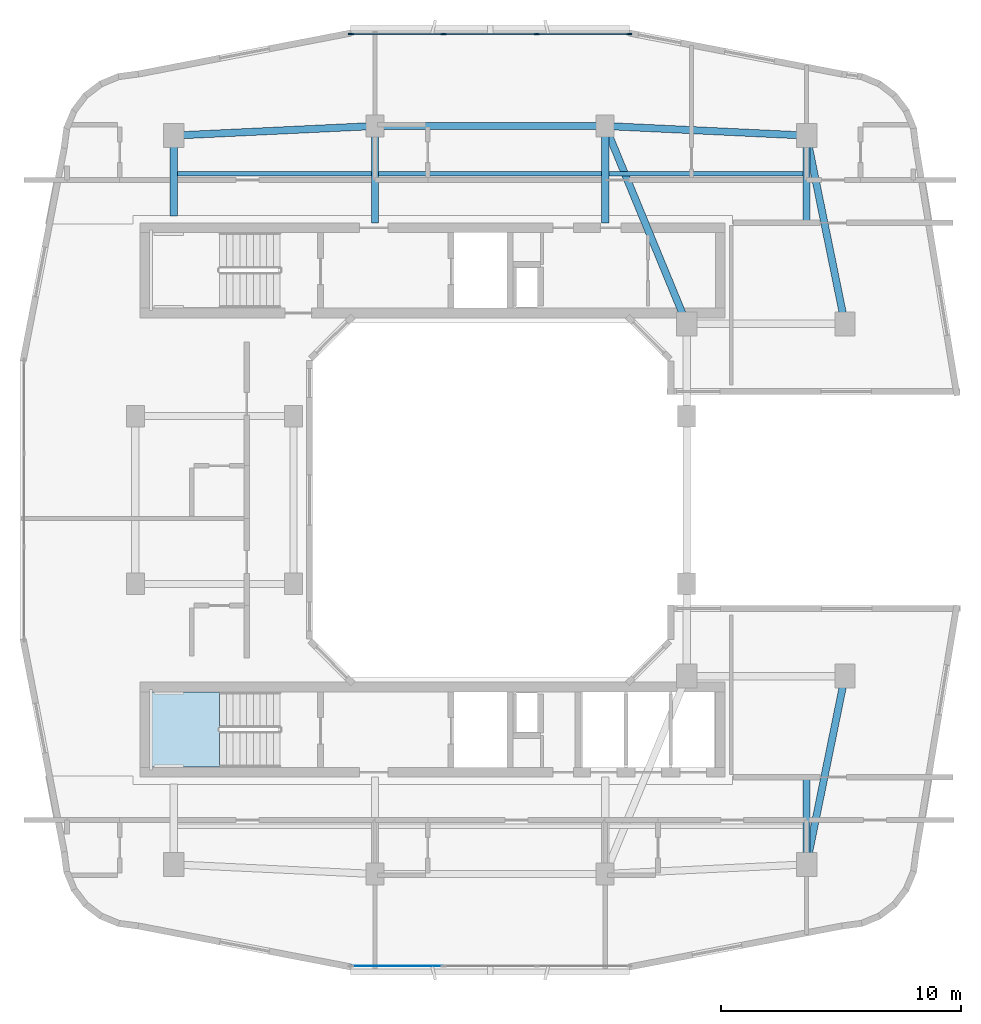
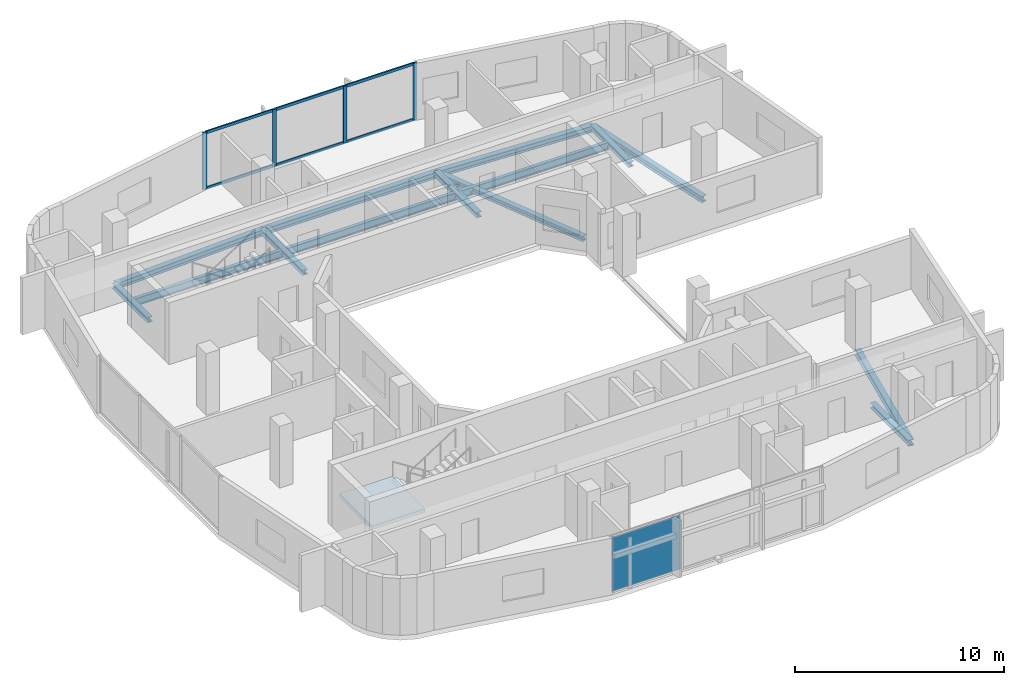
# One storey, part 3 of 12: 14 beams, 10 members, 1 plate, 1 slab, 3 elements without a shape of their own.
"""IFC4 building model written with IfcOpenShell, lengths in metres."""

from ifc_helpers import new_model, si_unit, derived_unit, direction, frame, origin, origin_2d, place, context, subcontext, project, spatial, polyline, rectangle, i_section, outline, extrude, material, layer, layer_set, material_profile, profile_set, type_object, element, aggregate, save


model = new_model("IFC4")

# Units and contexts
model_context = context("Model", 3, precision=1e-05, world=origin(), true_north=direction((0.0, 1.0)))
body_context = subcontext(model_context, "Body", "Model", "MODEL_VIEW")
ifc_project = project(units=[si_unit("LENGTHUNIT", "METRE"), si_unit("AREAUNIT", "SQUARE_METRE"), si_unit("VOLUMEUNIT", "CUBIC_METRE"), si_unit("PLANEANGLEUNIT", "RADIAN"), si_unit("MASSUNIT", "GRAM", prefix="KILO"), derived_unit("THERMALTRANSMITTANCEUNIT", [(si_unit("POWERUNIT", "WATT"), 1), (si_unit("LENGTHUNIT", "METRE"), -2), (si_unit("THERMODYNAMICTEMPERATUREUNIT", "KELVIN"), -1)])], contexts=[model_context])

# Site, building, storey
site_placement = place(None, origin())
site = spatial("IfcSite", under=ifc_project, at=site_placement, CompositionType="ELEMENT")
building_placement = place(site_placement, origin())
building = spatial("IfcBuilding", under=site, at=building_placement, Name="Kivonza Crest Hotel", CompositionType="ELEMENT")
storey_placement = place(building_placement, frame((0.0, 0.0, 181.10009765625)))
storey = spatial("IfcBuildingStorey", under=building, at=storey_placement, Name="L49", CompositionType="ELEMENT", Elevation=181.10009765625)

# Beams
ifc_material_1 = material(Name="Steel S355", Category="steel")
ifc_material_profile_1 = material_profile(ifc_material_1, i_section(OverallWidth=0.300048828125, OverallDepth=0.300048828125, WebThickness=0.010986328125, FlangeThickness=0.01904296875, FilletRadius=0.027099609375, at=origin_2d()), Name="HEB 300")
ifc_profile_set_1 = profile_set([ifc_material_profile_1], Name="Steel S355")
beam_type_1 = type_object("IfcBeamType", Name="BM-HEB300", PredefinedType="BEAM", material=ifc_profile_set_1)
beam_1_placement = place(storey_placement, frame((25.800048828125, 40.60009765625, -0.43017578125), z_axis=(0.381022260404, -0.924565864109, 0.0), x_axis=(0.924565864109, 0.381022260404, 0.0)))
element("IfcBeam", 1, at=beam_1_placement, inside=storey, type_object=beam_type_1, Name="Tower T1 L49 primary girder N1-TNE", PredefinedType="BEAM", context=body_context, shape_type="SweptSolid", body=[
    extrude(i_section(OverallWidth=0.300048828125, OverallDepth=0.300048828125, WebThickness=0.010986328125, FlangeThickness=0.01904296875, FilletRadius=0.027099609375, at=origin_2d()), origin(), (0.0, 0.0, 1.0), 8.923095703125),
])
beam_2_placement = place(storey_placement, frame((34.199951171875, 9.800048828125, -0.43017578125), z_axis=(0.0, 1.0, 0.0), x_axis=(-1.0, 0.0, 0.0)))
element("IfcBeam", 2, at=beam_2_placement, inside=storey, type_object=beam_type_1, Name="Tower T1 L49 radial core girder RSE", PredefinedType="BEAM", context=body_context, shape_type="SweptSolid", body=[
    extrude(i_section(OverallWidth=0.300048828125, OverallDepth=0.300048828125, WebThickness=0.010986328125, FlangeThickness=0.01904296875, FilletRadius=0.027099609375, at=origin_2d()), origin(), (0.0, 0.0, 1.0), 3.64990234375),
])
beam_3_placement = place(storey_placement, frame((7.800048828125, 40.199951171875, -0.43017578125), z_axis=(0.0, -1.0, 0.0), x_axis=(1.0, 0.0, 0.0)))
element("IfcBeam", 3, at=beam_3_placement, inside=storey, type_object=beam_type_1, Name="Tower T1 L49 radial core girder RNW", PredefinedType="BEAM", context=body_context, shape_type="SweptSolid", body=[
    extrude(i_section(OverallWidth=0.300048828125, OverallDepth=0.300048828125, WebThickness=0.010986328125, FlangeThickness=0.01904296875, FilletRadius=0.027099609375, at=origin_2d()), origin(), (0.0, 0.0, 1.0), 3.349853515625),
])
for number, where, z_axis, x_axis, name in (
    (4, (16.199951171875, 40.60009765625, -0.43017578125), (0.0, -1.0, 0.0), (1.0, 0.0, 0.0), "Tower T1 L49 radial core girder RN1"),
    (5, (25.800048828125, 40.60009765625, -0.43017578125), (0.0, -1.0, 0.0), (1.0, 0.0, 0.0), "Tower T1 L49 radial core girder RN2"),
):
    element("IfcBeam", number, at=place(storey_placement, frame(where, z_axis=z_axis, x_axis=x_axis)), inside=storey, type_object=beam_type_1, Name=name, PredefinedType="BEAM", context=body_context, shape_type="SweptSolid", body=[
        extrude(i_section(OverallWidth=0.300048828125, OverallDepth=0.300048828125, WebThickness=0.010986328125, FlangeThickness=0.01904296875, FilletRadius=0.027099609375, at=origin_2d()), origin(), (0.0, 0.0, 1.0), 4.050048828125),
    ])
beam_4_placement = place(storey_placement, frame((34.199951171875, 40.199951171875, -0.43017578125), z_axis=(0.0, -1.0, 0.0), x_axis=(1.0, 0.0, 0.0)))
element("IfcBeam", 6, at=beam_4_placement, inside=storey, type_object=beam_type_1, Name="Tower T1 L49 radial core girder RNE", PredefinedType="BEAM", context=body_context, shape_type="SweptSolid", body=[
    extrude(i_section(OverallWidth=0.300048828125, OverallDepth=0.300048828125, WebThickness=0.010986328125, FlangeThickness=0.01904296875, FilletRadius=0.027099609375, at=origin_2d()), origin(), (0.0, 0.0, 1.0), 3.64990234375),
])
ifc_material_profile_2 = material_profile(ifc_material_1, i_section(OverallWidth=0.300048828125, OverallDepth=0.360107421875, WebThickness=0.012451171875, FlangeThickness=0.0224609375, FilletRadius=0.027099609375, at=origin_2d()), Name="HEB 360")
ifc_profile_set_2 = profile_set([ifc_material_profile_2], Name="Steel S355")
beam_type_2 = type_object("IfcBeamType", Name="BM-HEB360", PredefinedType="SPANDREL", material=ifc_profile_set_2)
for number, where, z_axis, x_axis, name in (
    (7, (34.199951171875, 9.800048828125, -0.460205078125), (0.199730733965, 0.979850822273, 0.0), (-0.979850822273, 0.199730733965, 0.0), "Tower T1 L49 perimeter spandrel SE-PSE"),
    (8, (35.800048828125, 32.35009765625, -0.460205078125), (-0.199730733965, 0.979850822273, 0.0), (-0.979850822273, -0.199730733965, 0.0), "Tower T1 L49 perimeter spandrel PNE-NE"),
):
    element("IfcBeam", number, at=place(storey_placement, frame(where, z_axis=z_axis, x_axis=x_axis)), inside=storey, type_object=beam_type_2, Name=name, PredefinedType="SPANDREL", context=body_context, shape_type="SweptSolid", body=[
        extrude(i_section(OverallWidth=0.300048828125, OverallDepth=0.360107421875, WebThickness=0.012451171875, FlangeThickness=0.0224609375, FilletRadius=0.027099609375, at=origin_2d()), origin(), (0.0, 0.0, 1.0), 8.01123046875),
    ])
beam_5_placement = place(storey_placement, frame((34.199951171875, 40.199951171875, -0.460205078125), z_axis=(-0.998867283688, 0.047583080799, 0.0), x_axis=(-0.047583080799, -0.998867283688, 0.0)))
element("IfcBeam", 9, at=beam_5_placement, inside=storey, type_object=beam_type_2, Name="Tower T1 L49 perimeter spandrel NE-N2", PredefinedType="SPANDREL", context=body_context, shape_type="SweptSolid", body=[
    extrude(i_section(OverallWidth=0.300048828125, OverallDepth=0.360107421875, WebThickness=0.012451171875, FlangeThickness=0.0224609375, FilletRadius=0.027099609375, at=origin_2d()), origin(), (0.0, 0.0, 1.0), 8.409423828125),
])
beam_6_placement = place(storey_placement, frame((25.800048828125, 40.60009765625, -0.460205078125), z_axis=(-1.0, 0.0, 0.0), x_axis=(0.0, -1.0, 0.0)))
element("IfcBeam", 10, at=beam_6_placement, inside=storey, type_object=beam_type_2, Name="Tower T1 L49 perimeter spandrel N2-N1", PredefinedType="SPANDREL", context=body_context, shape_type="SweptSolid", body=[
    extrude(i_section(OverallWidth=0.300048828125, OverallDepth=0.360107421875, WebThickness=0.012451171875, FlangeThickness=0.0224609375, FilletRadius=0.027099609375, at=origin_2d()), origin(), (0.0, 0.0, 1.0), 9.60009765625),
])
beam_7_placement = place(storey_placement, frame((16.199951171875, 40.60009765625, -0.460205078125), z_axis=(-0.998867283688, -0.047583080799, 0.0), x_axis=(0.047583080799, -0.998867283688, 0.0)))
element("IfcBeam", 11, at=beam_7_placement, inside=storey, type_object=beam_type_2, Name="Tower T1 L49 perimeter spandrel N1-NW", PredefinedType="SPANDREL", context=body_context, shape_type="SweptSolid", body=[
    extrude(i_section(OverallWidth=0.300048828125, OverallDepth=0.360107421875, WebThickness=0.012451171875, FlangeThickness=0.0224609375, FilletRadius=0.027099609375, at=origin_2d()), origin(), (0.0, 0.0, 1.0), 8.409423828125),
])
ifc_material_profile_3 = material_profile(ifc_material_1, i_section(OverallWidth=0.18994140625, OverallDepth=0.449951171875, WebThickness=0.009521484375, FlangeThickness=0.0146484375, FilletRadius=0.02099609375, at=origin_2d()), Name="IPE 450")
ifc_profile_set_3 = profile_set([ifc_material_profile_3], Name="Steel S355")
beam_type_3 = type_object("IfcBeamType", Name="BM-IPE450", PredefinedType="JOIST", material=ifc_profile_set_3)
beam_8_placement = place(storey_placement, frame((7.8798828125, 38.60009765625, -0.505126953125), z_axis=(1.0, 0.0, 0.0), x_axis=(0.0, 1.0, 0.0)))
element("IfcBeam", 12, at=beam_8_placement, inside=storey, type_object=beam_type_3, Name="Tower T1 L49 North-West floor joist", PredefinedType="JOIST", context=body_context, shape_type="SweptSolid", body=[
    extrude(i_section(OverallWidth=0.18994140625, OverallDepth=0.449951171875, WebThickness=0.009521484375, FlangeThickness=0.0146484375, FilletRadius=0.02099609375, at=origin_2d()), origin(), (0.0, 0.0, 1.0), 8.240234375),
])
beam_9_placement = place(storey_placement, frame((16.280029296875, 38.60009765625, -0.505126953125), z_axis=(1.0, 0.0, 0.0), x_axis=(0.0, 1.0, 0.0)))
element("IfcBeam", 13, at=beam_9_placement, inside=storey, type_object=beam_type_3, Name="Tower T1 L49 North-Mid floor joist", PredefinedType="JOIST", context=body_context, shape_type="SweptSolid", body=[
    extrude(i_section(OverallWidth=0.18994140625, OverallDepth=0.449951171875, WebThickness=0.009521484375, FlangeThickness=0.0146484375, FilletRadius=0.02099609375, at=origin_2d()), origin(), (0.0, 0.0, 1.0), 9.43994140625),
])
beam_10_placement = place(storey_placement, frame((25.8798828125, 38.60009765625, -0.505126953125), z_axis=(1.0, 0.0, 0.0), x_axis=(0.0, 1.0, 0.0)))
element("IfcBeam", 14, at=beam_10_placement, inside=storey, type_object=beam_type_3, Name="Tower T1 L49 North-East floor joist", PredefinedType="JOIST", context=body_context, shape_type="SweptSolid", body=[
    extrude(i_section(OverallWidth=0.18994140625, OverallDepth=0.449951171875, WebThickness=0.009521484375, FlangeThickness=0.0146484375, FilletRadius=0.02099609375, at=origin_2d()), origin(), (0.0, 0.0, 1.0), 8.240234375),
])

# Curtain wall, members
ifc_material_2 = material(Name="Anodised bronze aluminium and low-E double glazing", Category="aluminium")
ifc_layer_1 = layer(ifc_material_2, 0.179931640625)
ifc_layer_set_1 = layer_set([ifc_layer_1], Name="Anodised bronze aluminium and low-E double glazing")
curtain_wall_type = type_object("IfcCurtainWallType", Name="CW-SYS-3", PredefinedType="NOTDEFINED", material=ifc_layer_set_1)
curtain_wall_1_placement = place(storey_placement, origin())
curtain_wall_1 = element("IfcCurtainWall", 15, at=curtain_wall_1_placement, inside=storey, type_object=curtain_wall_type, Name="L49 unitised curtain wall CW-T1-L49-36", PredefinedType="NOTDEFINED")
ifc_material_3 = material(Name="Anodised bronze aluminium", Category="aluminium")
ifc_material_profile_4 = material_profile(ifc_material_3, rectangle(XDim=0.074951171875, YDim=0.219970703125, at=origin_2d()), Name="CW-M 75x220")
ifc_profile_set_4 = profile_set([ifc_material_profile_4], Name="Anodised bronze aluminium")
member_type_1 = type_object("IfcMemberType", Name="CW-MUL-75x220", PredefinedType="MULLION", material=ifc_profile_set_4)
member_1_placement = place(storey_placement, frame((26.802490234375, 44.43994140625, 0.0), z_axis=(0.0, 0.0, 1.0), x_axis=(0.0, -1.0, 0.0)))
member_1 = element("IfcMember", 16, at=member_1_placement, type_object=member_type_1, Name="CW-3 mullion 1", PredefinedType="MULLION", context=body_context, shape_type="SweptSolid", body=[
    extrude(rectangle(XDim=0.074951171875, YDim=0.219970703125, at=origin_2d()), origin(), (0.0, 0.0, 1.0), 3.31982421875),
])
member_2_placement = place(storey_placement, frame((22.94677734375, 44.43994140625, 0.0), z_axis=(0.0, 0.0, 1.0), x_axis=(0.0, -1.0, 0.0)))
member_2 = element("IfcMember", 17, at=member_2_placement, type_object=member_type_1, Name="CW-3 mullion 2", PredefinedType="MULLION", context=body_context, shape_type="SweptSolid", body=[
    extrude(rectangle(XDim=0.074951171875, YDim=0.219970703125, at=origin_2d()), origin(), (0.0, 0.0, 1.0), 3.31982421875),
])
member_3_placement = place(storey_placement, frame((19.05322265625, 44.43994140625, 0.0), z_axis=(0.0, 0.0, 1.0), x_axis=(0.0, -1.0, 0.0)))
member_3 = element("IfcMember", 18, at=member_3_placement, type_object=member_type_1, Name="CW-3 mullion 3", PredefinedType="MULLION", context=body_context, shape_type="SweptSolid", body=[
    extrude(rectangle(XDim=0.074951171875, YDim=0.219970703125, at=origin_2d()), origin(), (0.0, 0.0, 1.0), 3.31982421875),
])
member_4_placement = place(storey_placement, frame((15.197509765625, 44.43994140625, 0.0), z_axis=(0.0, 0.0, 1.0), x_axis=(0.0, -1.0, 0.0)))
member_4 = element("IfcMember", 19, at=member_4_placement, type_object=member_type_1, Name="CW-3 mullion 4", PredefinedType="MULLION", context=body_context, shape_type="SweptSolid", body=[
    extrude(rectangle(XDim=0.074951171875, YDim=0.219970703125, at=origin_2d()), origin(), (0.0, 0.0, 1.0), 3.31982421875),
])
ifc_material_profile_5 = material_profile(ifc_material_3, rectangle(XDim=0.074951171875, YDim=0.159912109375, at=origin_2d()), Name="CW-T 75x160")
ifc_profile_set_5 = profile_set([ifc_material_profile_5], Name="Anodised bronze aluminium")
member_type_2 = type_object("IfcMemberType", Name="CW-TRN-75x160", PredefinedType="USERDEFINED", material=ifc_profile_set_5)
member_5_placement = place(storey_placement, frame((26.764892578125, 44.43994140625, 0.037353515625), z_axis=(-1.0, 0.0, 0.0), x_axis=(0.0, -1.0, 0.0)))
member_5 = element("IfcMember", 20, at=member_5_placement, type_object=member_type_2, Name="CW-3 transom 1.1", ObjectType="TRANSOM", PredefinedType="USERDEFINED", context=body_context, shape_type="SweptSolid", body=[
    extrude(rectangle(XDim=0.074951171875, YDim=0.159912109375, at=origin_2d()), origin(), (0.0, 0.0, 1.0), 3.78076171875),
])
member_6_placement = place(storey_placement, frame((26.764892578125, 44.43994140625, 3.282470703125), z_axis=(-1.0, 0.0, 0.0), x_axis=(0.0, -1.0, 0.0)))
member_6 = element("IfcMember", 21, at=member_6_placement, type_object=member_type_2, Name="CW-3 transom 1.2", ObjectType="TRANSOM", PredefinedType="USERDEFINED", context=body_context, shape_type="SweptSolid", body=[
    extrude(rectangle(XDim=0.074951171875, YDim=0.159912109375, at=origin_2d()), origin(), (0.0, 0.0, 1.0), 3.78076171875),
])
member_7_placement = place(storey_placement, frame((22.9091796875, 44.43994140625, 0.037353515625), z_axis=(-1.0, 0.0, 0.0), x_axis=(0.0, -1.0, 0.0)))
member_7 = element("IfcMember", 22, at=member_7_placement, type_object=member_type_2, Name="CW-3 transom 2.1", ObjectType="TRANSOM", PredefinedType="USERDEFINED", context=body_context, shape_type="SweptSolid", body=[
    extrude(rectangle(XDim=0.074951171875, YDim=0.159912109375, at=origin_2d()), origin(), (0.0, 0.0, 1.0), 3.818359375),
])
member_8_placement = place(storey_placement, frame((22.9091796875, 44.43994140625, 3.282470703125), z_axis=(-1.0, 0.0, 0.0), x_axis=(0.0, -1.0, 0.0)))
member_8 = element("IfcMember", 23, at=member_8_placement, type_object=member_type_2, Name="CW-3 transom 2.2", ObjectType="TRANSOM", PredefinedType="USERDEFINED", context=body_context, shape_type="SweptSolid", body=[
    extrude(rectangle(XDim=0.074951171875, YDim=0.159912109375, at=origin_2d()), origin(), (0.0, 0.0, 1.0), 3.818359375),
])
member_9_placement = place(storey_placement, frame((19.015869140625, 44.43994140625, 0.037353515625), z_axis=(-1.0, 0.0, 0.0), x_axis=(0.0, -1.0, 0.0)))
member_9 = element("IfcMember", 24, at=member_9_placement, type_object=member_type_2, Name="CW-3 transom 3.1", ObjectType="TRANSOM", PredefinedType="USERDEFINED", context=body_context, shape_type="SweptSolid", body=[
    extrude(rectangle(XDim=0.074951171875, YDim=0.159912109375, at=origin_2d()), origin(), (0.0, 0.0, 1.0), 3.78076171875),
])
member_10_placement = place(storey_placement, frame((19.015869140625, 44.43994140625, 3.282470703125), z_axis=(-1.0, 0.0, 0.0), x_axis=(0.0, -1.0, 0.0)))
member_10 = element("IfcMember", 25, at=member_10_placement, type_object=member_type_2, Name="CW-3 transom 3.2", ObjectType="TRANSOM", PredefinedType="USERDEFINED", context=body_context, shape_type="SweptSolid", body=[
    extrude(rectangle(XDim=0.074951171875, YDim=0.159912109375, at=origin_2d()), origin(), (0.0, 0.0, 1.0), 3.78076171875),
])
aggregate(curtain_wall_1, [member_1, member_2, member_3, member_4, member_5, member_6, member_7, member_8, member_9, member_10])

# Curtain wall, plate
curtain_wall_2_placement = place(storey_placement, origin())
curtain_wall_2 = element("IfcCurtainWall", 26, at=curtain_wall_2_placement, inside=storey, type_object=curtain_wall_type, Name="L49 unitised curtain wall CW-T1-L49-08", PredefinedType="NOTDEFINED")
ifc_material_4 = material(Name="Acoustic triple-laminated low-E glazing", Category="glass")
ifc_layer_2 = layer(ifc_material_4, 0.035888671875)
ifc_layer_set_2 = layer_set([ifc_layer_2], Name="Acoustic triple-laminated low-E glazing")
plate_type = type_object("IfcPlateType", Name="CW-PNL-36", PredefinedType="CURTAIN_PANEL", material=ifc_layer_set_2)
plate_placement = place(storey_placement, frame((17.12548828125, 5.56005859375, 0.074951171875), z_axis=(0.0, 0.0, 1.0), x_axis=(1.0, 0.0, 0.0)))
plate = element("IfcPlate", 27, at=plate_placement, type_object=plate_type, Name="CW-3 panel 1.1", PredefinedType="CURTAIN_PANEL", context=body_context, shape_type="SweptSolid", body=[
    extrude(rectangle(XDim=3.78076171875, YDim=0.035888671875, at=origin_2d()), origin(), (0.0, 0.0, 1.0), 3.169921875),
])
aggregate(curtain_wall_2, [plate])

# Stair, slab
ifc_material_5 = material(Name="Concrete C40/50", Category="concrete")
stair_type = type_object("IfcStairType", Name="ST-DL-20R", PredefinedType="HALF_TURN_STAIR", material=ifc_material_5)
stair_placement = place(storey_placement, origin())
stair = element("IfcStair", 28, at=stair_placement, inside=storey, type_object=stair_type, Name="L49 Protected Exit Stair ST-T1-S", PredefinedType="HALF_TURN_STAIR")
ifc_layer_3 = layer(ifc_material_5, 0.199951171875)
ifc_layer_set_3 = layer_set([ifc_layer_3], Name="Concrete C40/50")
slab_type = type_object("IfcSlabType", Name="SL-LAND-200", PredefinedType="LANDING", material=ifc_layer_set_3)
slab_placement = place(storey_placement, frame((0.0, 0.0, 1.599853515625)))
slab = element("IfcSlab", 29, at=slab_placement, type_object=slab_type, Name="ST-T1-S landing 1", PredefinedType="LANDING", context=body_context, shape_type="SweptSolid", body=[
    extrude(outline(polyline([(9.719970703125, 17.0), (6.800048828125, 17.0), (6.800048828125, 13.860107421875), (9.719970703125, 13.860107421875), (9.719970703125, 17.0)])), origin(), (0.0, 0.0, 1.0), 0.199951171875),
])
aggregate(stair, [slab])

save(model, "model.ifc")
